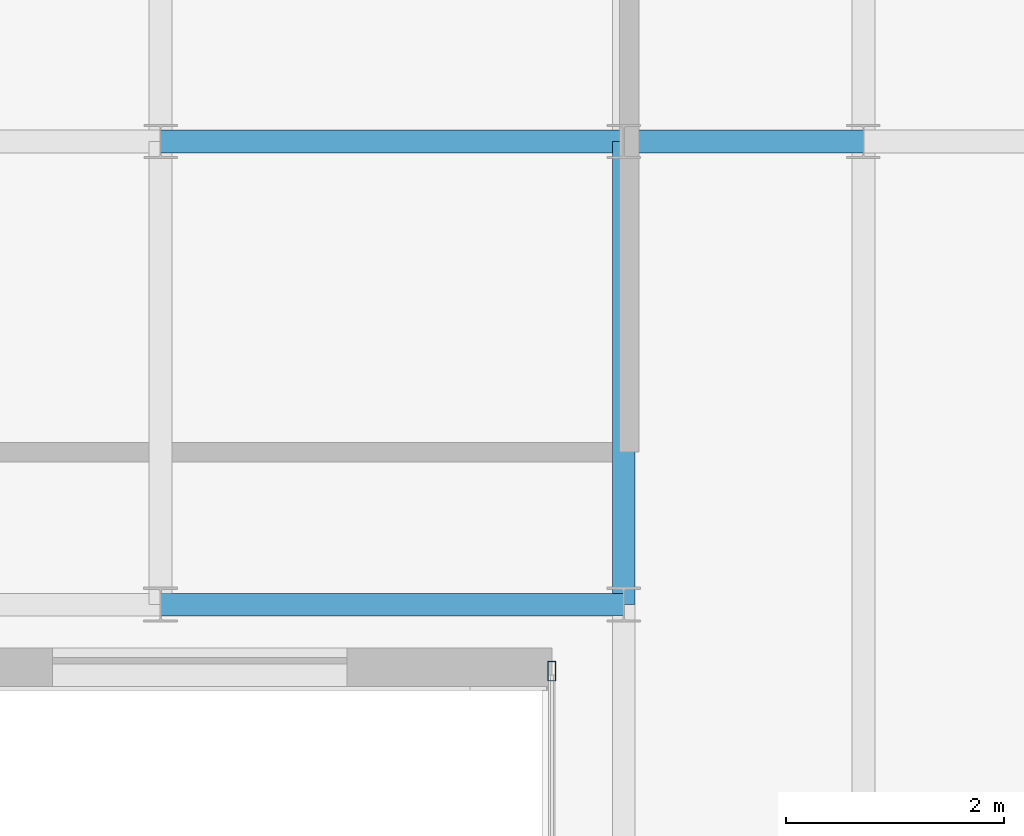
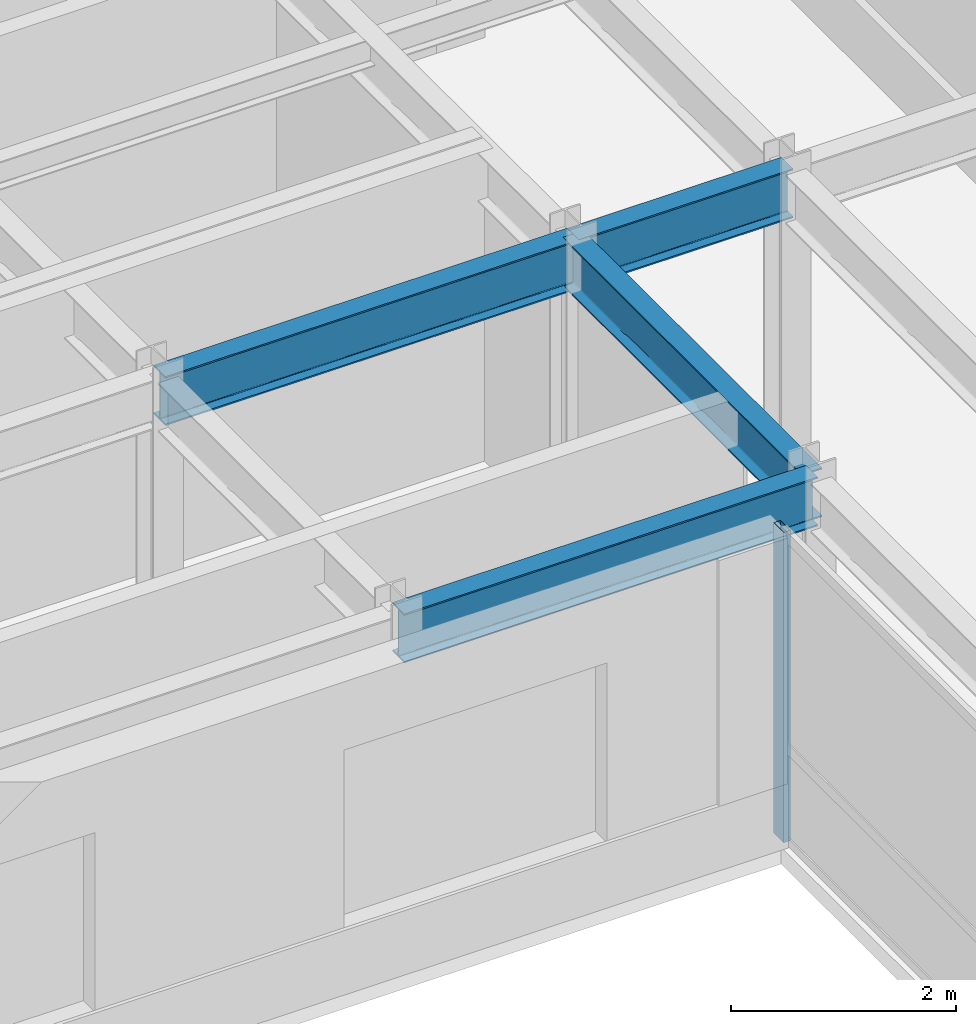
# One storey, part 11 of 21: 4 beams, 1 member, 1 element without a shape of its own.
"""IFC4 building model written with IfcOpenShell, lengths in metres."""

import ifcopenshell
import ifcopenshell.guid

model = None  # the IFC model being written
_history = None  # IfcOwnerHistory: only IFC2X3 demands one
_inside = {}  # id of a spatial element -> (the spatial element, [elements in it])
_under = {}  # id of a project, library or spatial element -> (it, [spatial elements below it])
_declared = {}  # id of a project -> (the project, [libraries it declares])
_typed = {}  # id of a type object -> (the type object, [elements of that type])
_made_of = {}  # id of a material, layer set ... -> (it, [elements and type objects made of it])


def new_model(schema):
    """Start an empty IFC model of exactly this schema.

    Asked for "IFC4X3", IfcOpenShell would pick the latest addendum, in which some entities
    have other attributes; the version numbers below select the first issue.
    IFC2X3 requires an IfcOwnerHistory on every rooted entity: one is made here for all.
    """
    global model, _history
    if schema == "IFC4X3":
        model = ifcopenshell.file(schema_version=(4, 3, 0, 0))
    else:
        model = ifcopenshell.file(schema=schema)
    _inside.clear()
    _under.clear()
    _declared.clear()
    _typed.clear()
    _made_of.clear()
    _history = None
    if model.schema == "IFC2X3":
        org = make("IfcOrganization", Name="unknown")
        user = make(
            "IfcPersonAndOrganization",
            ThePerson=make("IfcPerson", FamilyName="unknown"),
            TheOrganization=org,
        )
        app = make(
            "IfcApplication",
            ApplicationDeveloper=org,
            Version="unknown",
            ApplicationFullName="unknown",
            ApplicationIdentifier="unknown",
        )
        _history = make(
            "IfcOwnerHistory",
            OwningUser=user,
            OwningApplication=app,
            ChangeAction="ADDED",
            CreationDate=0,
        )
    return model


def make(cls, **values):
    """One entity of the class cls with the attributes given. An attribute that is None is left unset."""
    return model.create_entity(
        cls, **{name: value for name, value in values.items() if value is not None}
    )


def rooted(cls, **values):
    """An entity with a GlobalId (a new one), such as an element, a storey or a relation."""
    return make(cls, GlobalId=ifcopenshell.guid.new(), OwnerHistory=_history, **values)


def si_unit(unit_type, name, prefix=None):
    """IfcSIUnit, for example si_unit("LENGTHUNIT", "METRE", prefix="MILLI")."""
    return make("IfcSIUnit", UnitType=unit_type, Prefix=prefix, Name=name)


def assignment(units):
    """IfcUnitAssignment: the units of a project."""
    return None if units is None else make("IfcUnitAssignment", Units=units)


def point(xyz):
    """IfcCartesianPoint."""
    return None if xyz is None else make("IfcCartesianPoint", Coordinates=xyz)


def direction(xyz):
    """IfcDirection."""
    return None if xyz is None else make("IfcDirection", DirectionRatios=xyz)


def frame(location, z_axis=None, x_axis=None):
    """IfcAxis2Placement3D, a coordinate frame: its origin and axes. An axis left out is left unset."""
    return make(
        "IfcAxis2Placement3D",
        Location=point(location),
        Axis=direction(z_axis),
        RefDirection=direction(x_axis),
    )


def frame_2d(location, x_axis=None):
    """IfcAxis2Placement2D, a coordinate frame in the plane: its origin and x axis."""
    return make(
        "IfcAxis2Placement2D", Location=point(location), RefDirection=direction(x_axis)
    )


def origin():
    """The frame at (0, 0, 0) with its axes left unset."""
    return frame((0.0, 0.0, 0.0))


def origin_2d():
    """The frame at (0, 0) in the plane with its x axis left unset."""
    return frame_2d((0.0, 0.0))


def place(relative_to, where):
    """IfcLocalPlacement: puts the frame where relative to a parent placement (None: the world)."""
    return make(
        "IfcLocalPlacement", PlacementRelTo=relative_to, RelativePlacement=where
    )


def context(
    kind, dimensions, precision=None, world=None, true_north=None, identifier=None
):
    """IfcGeometricRepresentationContext, for example the 3D "Model" context."""
    return make(
        "IfcGeometricRepresentationContext",
        ContextIdentifier=identifier,
        ContextType=kind,
        CoordinateSpaceDimension=dimensions,
        Precision=precision,
        WorldCoordinateSystem=world,
        TrueNorth=true_north,
    )


def subcontext(parent, identifier, kind, view, scale=None):
    """IfcGeometricRepresentationSubContext, for example "Body" below "Model"."""
    return make(
        "IfcGeometricRepresentationSubContext",
        ContextIdentifier=identifier,
        ContextType=kind,
        ParentContext=parent,
        TargetScale=scale,
        TargetView=view,
    )


def project(units=None, contexts=None):
    """IfcProject with its units and contexts."""
    return rooted(
        "IfcProject",
        Name="project",
        RepresentationContexts=contexts,
        UnitsInContext=assignment(units),
    )


def spatial(cls, under=None, at=None, **own):
    """A site, building, storey or space (cls), placed at a placement, below another one or the project."""
    s = rooted(cls, ObjectPlacement=at, **own)
    if under is not None:
        _under.setdefault(under.id(), (under, []))[1].append(s)
    return s


def profile(cls, at=None, kind="AREA", **sizes):
    """A parametric profile (cls). Its sizes go by their IFC names, for example OverallWidth=200.0."""
    return make(cls, ProfileType=kind, Position=at, **sizes)


def hollow_rectangle(**sizes):
    """IfcRectangleHollowProfileDef."""
    return profile("IfcRectangleHollowProfileDef", **sizes)


def i_section(**sizes):
    """IfcIShapeProfileDef."""
    return profile("IfcIShapeProfileDef", **sizes)


def extrude(swept, where, along, depth):
    """IfcExtrudedAreaSolid: the profile swept, set in the frame where, extruded along a direction by depth."""
    return make(
        "IfcExtrudedAreaSolid",
        SweptArea=swept,
        Position=where,
        ExtrudedDirection=direction(along),
        Depth=depth,
    )


def shape(context_of_items, identifier, shape_type, items):
    """IfcShapeRepresentation: the items that make up one representation, for example the "Body"."""
    return make(
        "IfcShapeRepresentation",
        ContextOfItems=context_of_items,
        RepresentationIdentifier=identifier,
        RepresentationType=shape_type,
        Items=items,
    )


def source(mapping_origin, context_of_items, identifier, shape_type, items):
    """IfcRepresentationMap: a shape defined once, which mapped items show again and again."""
    return make(
        "IfcRepresentationMap",
        MappingOrigin=mapping_origin,
        MappedRepresentation=shape(context_of_items, identifier, shape_type, items),
    )


def transform(
    local_origin,
    x_axis=None,
    y_axis=None,
    z_axis=None,
    scale=None,
    scale2=None,
    scale3=None,
    uniform=True,
):
    """IfcCartesianTransformationOperator3D, or its non-uniform kind. x_axis, y_axis, z_axis: its Axis1, 2, 3."""
    if uniform:
        return make(
            "IfcCartesianTransformationOperator3D",
            Axis1=direction(x_axis),
            Axis2=direction(y_axis),
            LocalOrigin=point(local_origin),
            Scale=scale,
            Axis3=direction(z_axis),
        )
    return make(
        "IfcCartesianTransformationOperator3DnonUniform",
        Axis1=direction(x_axis),
        Axis2=direction(y_axis),
        LocalOrigin=point(local_origin),
        Scale=scale,
        Axis3=direction(z_axis),
        Scale2=scale2,
        Scale3=scale3,
    )


def mapped(mapping_source, mapping_target):
    """IfcMappedItem: shows the shape of a source again, moved by a transform."""
    return make(
        "IfcMappedItem", MappingSource=mapping_source, MappingTarget=mapping_target
    )


def material(Name=None, Category=None):
    """IfcMaterial."""
    return make("IfcMaterial", Name=Name, Category=Category)


def layer(
    of_material, thickness, ventilated=None, Name=None, Category=None, Priority=None
):
    """IfcMaterialLayer: one layer of a wall or slab, of a material (None: an air gap)."""
    return make(
        "IfcMaterialLayer",
        Material=of_material,
        LayerThickness=thickness,
        IsVentilated=ventilated,
        Name=Name,
        Category=Category,
        Priority=Priority,
    )


def layer_set(layers, Name=None):
    """IfcMaterialLayerSet."""
    return make("IfcMaterialLayerSet", MaterialLayers=layers, LayerSetName=Name)


def material_profile(
    of_material, cross_section, Name=None, Category=None, Priority=None
):
    """IfcMaterialProfile: a cross section and its material."""
    return make(
        "IfcMaterialProfile",
        Name=Name,
        Material=of_material,
        Profile=cross_section,
        Priority=Priority,
        Category=Category,
    )


def profile_set(profiles, Name=None, composite=None):
    """IfcMaterialProfileSet."""
    return make(
        "IfcMaterialProfileSet",
        Name=Name,
        MaterialProfiles=profiles,
        CompositeProfile=composite,
    )


def made_of(thing, what):
    """Note that an element or type object is made of a material, layer set ...; save() writes the relation."""
    if what is not None:
        _made_of.setdefault(what.id(), (what, []))[1].append(thing)
    return thing


def type_object(cls, material=None, **own):
    """A type object (cls), such as IfcWallType, which elements share."""
    return made_of(rooted(cls, **own), material)


def type_shapes(of_type, sources):
    """Give a type object the sources (RepresentationMaps) that its elements show as mapped items."""
    of_type.RepresentationMaps = sources


def element(
    cls,
    number,
    at=None,
    inside=None,
    cuts=None,
    type_object=None,
    material=None,
    context=None,
    identifier="Body",
    shape_type=None,
    held_by="IfcProductDefinitionShape",
    body=None,
    shapes=None,
    **own,
):
    """One element of the class cls, such as IfcWall. Its Tag is "e" and its number.

    at: its placement. inside: the storey or other place that contains it. cuts: it is an
    opening in that element (IfcRelVoidsElement). A single representation is given by context,
    identifier, shape_type and body (its items); several are given by shapes. held_by: the class
    of the entity that holds the representations. save() writes the other relations.
    """
    e = rooted(cls, Tag="e%d" % number, ObjectPlacement=at, **own)
    if body is not None:
        shapes = [shape(context, identifier, shape_type, body)]
    if shapes is not None:
        e.Representation = make(held_by, Representations=shapes)
    if inside is not None:
        _inside.setdefault(inside.id(), (inside, []))[1].append(e)
    if cuts is not None:
        rooted(
            "IfcRelVoidsElement", RelatingBuildingElement=cuts, RelatedOpeningElement=e
        )
    if type_object is not None:
        _typed.setdefault(type_object.id(), (type_object, []))[1].append(e)
    return made_of(e, material)


def aggregate(whole, parts):
    """IfcRelAggregates: a whole, such as a stair, and the parts it consists of."""
    return rooted("IfcRelAggregates", RelatingObject=whole, RelatedObjects=parts)


def save(model, path):
    """Write the relations noted so far, then the file.

    IfcRelAggregates (storeys below a building ...), IfcRelContainedInSpatialStructure (elements
    in a storey), IfcRelDefinesByType, IfcRelAssociatesMaterial and IfcRelDeclares: one each for
    every whole, place, type object, material and project.
    """
    for whole, parts in _under.values():
        aggregate(whole, parts)
    for where, things in _inside.values():
        rooted(
            "IfcRelContainedInSpatialStructure",
            RelatedElements=things,
            RelatingStructure=where,
        )
    for kind, things in _typed.values():
        rooted("IfcRelDefinesByType", RelatedObjects=things, RelatingType=kind)
    for what, things in _made_of.values():
        rooted("IfcRelAssociatesMaterial", RelatedObjects=things, RelatingMaterial=what)
    for by, libraries in _declared.values():
        rooted("IfcRelDeclares", RelatingContext=by, RelatedDefinitions=libraries)
    model.write(path)


model = new_model("IFC4")

# Units and contexts
model_context = context("Model", 3, precision=1e-05, world=origin(), true_north=direction((0.0, 1.0)))
body_context = subcontext(model_context, "Body", "Model", "MODEL_VIEW")
ifc_project = project(units=[si_unit("LENGTHUNIT", "METRE"), si_unit("AREAUNIT", "SQUARE_METRE"), si_unit("VOLUMEUNIT", "CUBIC_METRE"), si_unit("PLANEANGLEUNIT", "RADIAN"), si_unit("MASSUNIT", "GRAM", prefix="KILO")], contexts=[model_context])

# Site, building, storey
site_placement = place(None, origin())
site = spatial("IfcSite", under=ifc_project, at=site_placement, CompositionType="ELEMENT")
building_placement = place(site_placement, origin())
building = spatial("IfcBuilding", under=site, at=building_placement, Name="Tolvann Quenvar Hotel", CompositionType="ELEMENT")
storey_placement = place(building_placement, frame((0.0, 0.0, 262.949951171875)))
storey = spatial("IfcBuildingStorey", under=building, at=storey_placement, Name="L70", CompositionType="ELEMENT", Elevation=262.949951171875)

# Beams
ifc_material_1 = material(Name="Steel Grade 350", Category="steel")
ifc_material_profile_1 = material_profile(ifc_material_1, i_section(OverallWidth=0.208984375, OverallDepth=0.532958984375, WebThickness=0.01025390625, FlangeThickness=0.015625, FilletRadius=0.013916015625, at=origin_2d()), Name="530UB92")
ifc_profile_set_1 = profile_set([ifc_material_profile_1], Name="Steel Grade 350")
beam_type = type_object("IfcBeamType", Name="BM_GIRD_530UB92", PredefinedType="BEAM", material=ifc_profile_set_1)
shared_shape_1 = source(origin(), body_context, "Body", "SweptSolid", [
    extrude(i_section(OverallWidth=0.208984375, OverallDepth=0.532958984375, WebThickness=0.01025390625, FlangeThickness=0.015625, FilletRadius=0.013916015625, at=origin_2d()), origin(), (0.0, 0.0, 1.0), 2.199951171875),
])
beam_placement = place(storey_placement, frame((32.75, 24.39990234375, 3.103515625), z_axis=(1.0, 0.0, 0.0), x_axis=(0.0, 1.0, 0.0)))
element("IfcBeam", 1, at=beam_placement, inside=storey, type_object=beam_type, Name="BM-L70-EW-5-FP5-F5", PredefinedType="BEAM", context=body_context, shape_type="MappedRepresentation", body=[
    mapped(shared_shape_1, transform((0.0, 0.0, 0.0), x_axis=(1.0, 0.0, 0.0), y_axis=(0.0, 1.0, 0.0), z_axis=(0.0, 0.0, 1.0), scale=1.0)),
])
shared_shape_2 = source(origin(), body_context, "Body", "SweptSolid", [
    extrude(i_section(OverallWidth=0.208984375, OverallDepth=0.532958984375, WebThickness=0.01025390625, FlangeThickness=0.015625, FilletRadius=0.013916015625, at=origin_2d()), origin(), (0.0, 0.0, 1.0), 4.25),
])
type_shapes(beam_type, [shared_shape_1, shared_shape_2])
for number, where, z_axis, x_axis, name in (
    (2, (28.5, 20.14990234375, 3.103515625), (1.0, 0.0, 0.0), (0.0, 1.0, 0.0), "BM-L70-EW-4P-M4P-FP4P"),
    (3, (28.5, 24.39990234375, 3.103515625), (1.0, 0.0, 0.0), (0.0, 1.0, 0.0), "BM-L70-EW-5-M5-FP5"),
    (4, (32.75, 20.14990234375, 3.103515625), (0.0, 1.0, 0.0), (-1.0, 0.0, 0.0), "BM-L70-NS-FP4P-FP5"),
):
    element("IfcBeam", number, at=place(storey_placement, frame(where, z_axis=z_axis, x_axis=x_axis)), inside=storey, type_object=beam_type, Name=name, PredefinedType="BEAM", context=body_context, shape_type="MappedRepresentation", body=[
        mapped(shared_shape_2, transform((0.0, 0.0, 0.0), x_axis=(1.0, 0.0, 0.0), y_axis=(0.0, 1.0, 0.0), z_axis=(0.0, 0.0, 1.0), scale=1.0)),
    ])

# Curtain wall, member
ifc_material_2 = material(Name="Thermally broken anodised architectural aluminium 6063-T6 and laminated low-E glass", Category="aluminium")
ifc_layer = layer(ifc_material_2, 0.179931640625)
ifc_layer_set = layer_set([ifc_layer], Name="Thermally broken anodised architectural aluminium 6063-T6 and laminated low-E glass")
curtain_wall_type = type_object("IfcCurtainWallType", Name="CW_SYS_PORTAL_05", PredefinedType="USERDEFINED", material=ifc_layer_set)
curtain_wall_placement = place(storey_placement, origin())
curtain_wall = element("IfcCurtainWall", 5, at=curtain_wall_placement, inside=storey, type_object=curtain_wall_type, Name="Curtain Wall CW-PORTAL-05 (CWR-L70-E07)", ObjectType="UNITISED CURTAIN WALL", PredefinedType="USERDEFINED")
ifc_material_3 = material(Name="Anodised architectural aluminium 6063-T6 framing", Category="aluminium")
ifc_material_profile_2 = material_profile(ifc_material_3, hollow_rectangle(XDim=0.070068359375, YDim=0.179931640625, WallThickness=0.00390625, at=origin_2d()), Name="180x70x4RHS")
ifc_profile_set_2 = profile_set([ifc_material_profile_2], Name="Anodised architectural aluminium 6063-T6 framing")
member_type = type_object("IfcMemberType", Name="CW_MULL_180x70", PredefinedType="MULLION", material=ifc_profile_set_2)
shared_shape_3 = source(origin(), body_context, "Body", "SweptSolid", [
    extrude(hollow_rectangle(XDim=0.070068359375, YDim=0.179931640625, WallThickness=0.00390625, at=origin_2d()), origin(), (0.0, 0.0, 1.0), 3.3701171875),
])
type_shapes(member_type, [shared_shape_3])
member_placement = place(storey_placement, frame((32.090087890625, 19.5400390625, 0.0), z_axis=(0.0, 0.0, 1.0), x_axis=(1.0, 0.0, 0.0)))
member = element("IfcMember", 6, at=member_placement, type_object=member_type, Name="CW-PORTAL-05 mullion 1", PredefinedType="MULLION", context=body_context, shape_type="MappedRepresentation", body=[
    mapped(shared_shape_3, transform((0.0, 0.0, 0.0), x_axis=(1.0, 0.0, 0.0), y_axis=(0.0, 1.0, 0.0), z_axis=(0.0, 0.0, 1.0), scale=1.0)),
])
aggregate(curtain_wall, [member])

save(model, "model.ifc")
